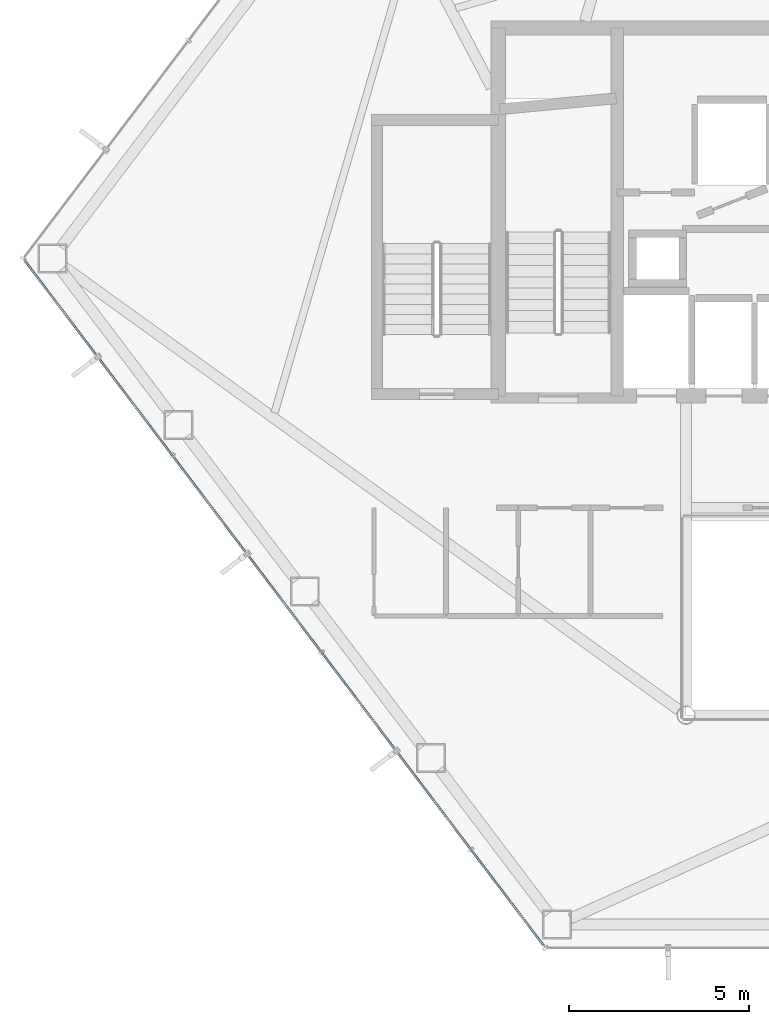
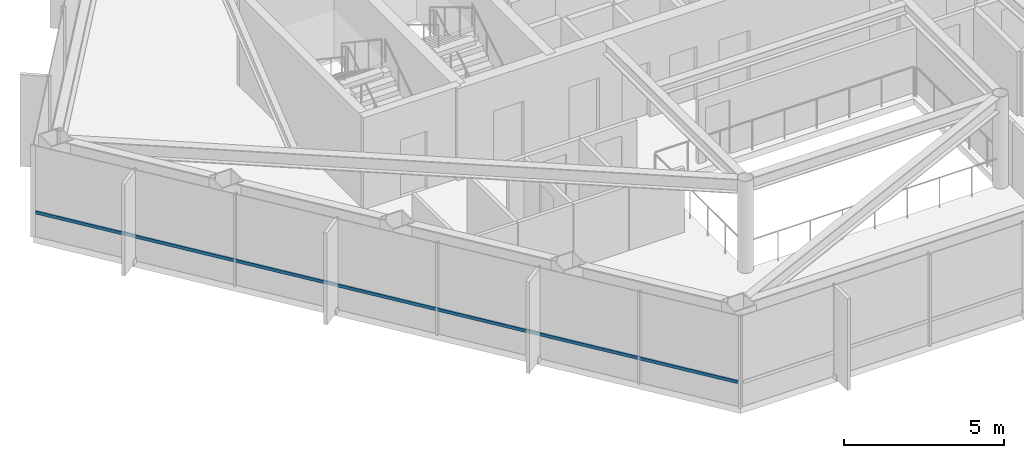
# One storey, part 3 of 29: 1 member, 1 element without a shape of its own.
"""IFC4 building model written with IfcOpenShell, lengths in metres."""

from ifc_helpers import new_model, si_unit, direction, frame, origin, origin_2d, place, context, subcontext, project, spatial, hollow_rectangle, extrude, material, layer, layer_set, material_profile, profile_set, type_object, element, aggregate, save


model = new_model("IFC4")

# Units and contexts
model_context = context("Model", 3, precision=1e-05, world=origin(), true_north=direction((0.0, 1.0)))
body_context = subcontext(model_context, "Body", "Model", "MODEL_VIEW")
ifc_project = project(units=[si_unit("LENGTHUNIT", "METRE"), si_unit("AREAUNIT", "SQUARE_METRE"), si_unit("VOLUMEUNIT", "CUBIC_METRE"), si_unit("PLANEANGLEUNIT", "RADIAN"), si_unit("MASSUNIT", "GRAM", prefix="KILO")], contexts=[model_context])

# Site, building, storey
site_placement = place(None, origin())
site = spatial("IfcSite", under=ifc_project, at=site_placement, CompositionType="ELEMENT")
building_placement = place(site_placement, origin())
building = spatial("IfcBuilding", under=site, at=building_placement, Name="Zarrinselat Tower", CompositionType="ELEMENT")
storey_placement = place(building_placement, frame((0.0, 0.0, 138.3798828125)))
storey = spatial("IfcBuildingStorey", under=building, at=storey_placement, Name="L33", CompositionType="ELEMENT", Elevation=138.3798828125)

# Curtain wall, member
ifc_material_1 = material(Name="Extruded Aluminium Alloy EN AW-6063 T6", Category="aluminium")
ifc_layer = layer(ifc_material_1, 0.175048828125)
ifc_layer_set = layer_set([ifc_layer], Name="Extruded Aluminium Alloy EN AW-6063 T6")
curtain_wall_type = type_object("IfcCurtainWallType", Name="CWS-HTL", PredefinedType="NOTDEFINED", material=ifc_layer_set)
curtain_wall_placement = place(storey_placement, origin())
curtain_wall = element("IfcCurtainWall", 1, at=curtain_wall_placement, inside=storey, type_object=curtain_wall_type, Name="L33 Unitised Curtain Wall CW-L33-E03", PredefinedType="NOTDEFINED")
ifc_material_2 = material(Name="Extruded Aluminium Alloy EN AW-6063 T6", Category="aluminium")
ifc_material_profile = material_profile(ifc_material_2, hollow_rectangle(XDim=0.06005859375, YDim=0.1201171875, WallThickness=0.00390625, at=origin_2d()), Name="RHS 120x60x4")
ifc_profile_set = profile_set([ifc_material_profile], Name="Extruded Aluminium Alloy EN AW-6063 T6")
member_type = type_object("IfcMemberType", Name="MEM-CW-TRN2", PredefinedType="USERDEFINED", material=ifc_profile_set)
member_placement = place(storey_placement, frame((15.476806640625, 36.988525390625, 0.9501953125), z_axis=(0.603861440437, -0.797089305381, 0.0), x_axis=(0.797089305381, 0.603861440437, 0.0)))
member = element("IfcMember", 2, at=member_placement, type_object=member_type, Name="CW-L33-E03 Transom 1", ObjectType="TRANSOM", PredefinedType="USERDEFINED", context=body_context, shape_type="SweptSolid", body=[
    extrude(hollow_rectangle(XDim=0.06005859375, YDim=0.1201171875, WallThickness=0.00390625, at=origin_2d()), origin(), (0.0, 0.0, 1.0), 23.80029296875),
])
aggregate(curtain_wall, [member])

save(model, "model.ifc")
